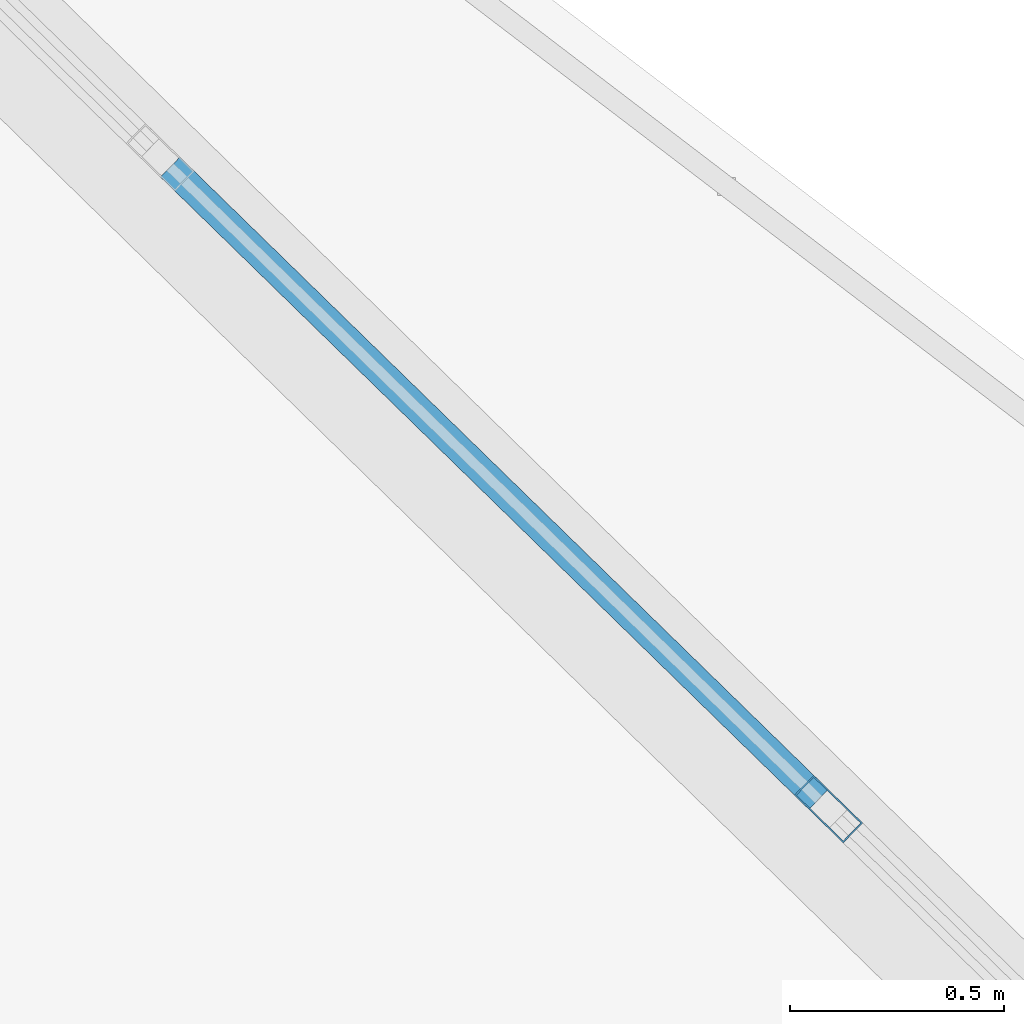
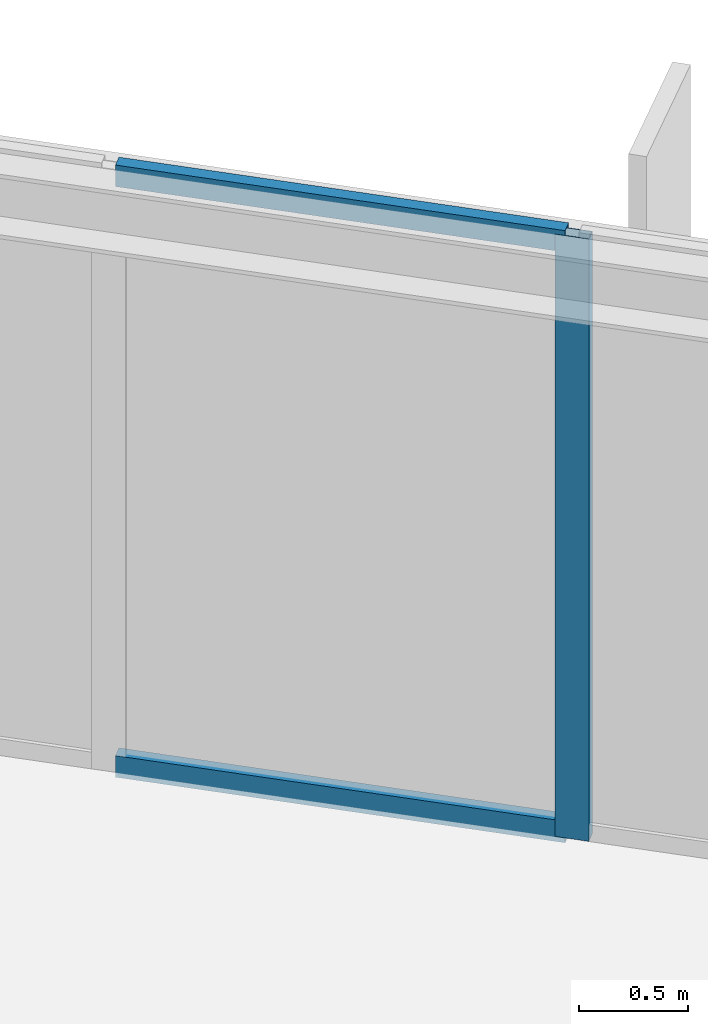
# One storey, part 15 of 27: 3 members, 1 element without a shape of its own.
"""IFC4 building model written with IfcOpenShell, lengths in metres."""

import ifcopenshell
import ifcopenshell.guid

model = None  # the IFC model being written
_history = None  # IfcOwnerHistory: only IFC2X3 demands one
_inside = {}  # id of a spatial element -> (the spatial element, [elements in it])
_under = {}  # id of a project, library or spatial element -> (it, [spatial elements below it])
_declared = {}  # id of a project -> (the project, [libraries it declares])
_typed = {}  # id of a type object -> (the type object, [elements of that type])
_made_of = {}  # id of a material, layer set ... -> (it, [elements and type objects made of it])


def new_model(schema):
    """Start an empty IFC model of exactly this schema.

    Asked for "IFC4X3", IfcOpenShell would pick the latest addendum, in which some entities
    have other attributes; the version numbers below select the first issue.
    IFC2X3 requires an IfcOwnerHistory on every rooted entity: one is made here for all.
    """
    global model, _history
    if schema == "IFC4X3":
        model = ifcopenshell.file(schema_version=(4, 3, 0, 0))
    else:
        model = ifcopenshell.file(schema=schema)
    _inside.clear()
    _under.clear()
    _declared.clear()
    _typed.clear()
    _made_of.clear()
    _history = None
    if model.schema == "IFC2X3":
        org = make("IfcOrganization", Name="unknown")
        user = make(
            "IfcPersonAndOrganization",
            ThePerson=make("IfcPerson", FamilyName="unknown"),
            TheOrganization=org,
        )
        app = make(
            "IfcApplication",
            ApplicationDeveloper=org,
            Version="unknown",
            ApplicationFullName="unknown",
            ApplicationIdentifier="unknown",
        )
        _history = make(
            "IfcOwnerHistory",
            OwningUser=user,
            OwningApplication=app,
            ChangeAction="ADDED",
            CreationDate=0,
        )
    return model


def make(cls, **values):
    """One entity of the class cls with the attributes given. An attribute that is None is left unset."""
    return model.create_entity(
        cls, **{name: value for name, value in values.items() if value is not None}
    )


def rooted(cls, **values):
    """An entity with a GlobalId (a new one), such as an element, a storey or a relation."""
    return make(cls, GlobalId=ifcopenshell.guid.new(), OwnerHistory=_history, **values)


def si_unit(unit_type, name, prefix=None):
    """IfcSIUnit, for example si_unit("LENGTHUNIT", "METRE", prefix="MILLI")."""
    return make("IfcSIUnit", UnitType=unit_type, Prefix=prefix, Name=name)


def assignment(units):
    """IfcUnitAssignment: the units of a project."""
    return None if units is None else make("IfcUnitAssignment", Units=units)


def point(xyz):
    """IfcCartesianPoint."""
    return None if xyz is None else make("IfcCartesianPoint", Coordinates=xyz)


def direction(xyz):
    """IfcDirection."""
    return None if xyz is None else make("IfcDirection", DirectionRatios=xyz)


def frame(location, z_axis=None, x_axis=None):
    """IfcAxis2Placement3D, a coordinate frame: its origin and axes. An axis left out is left unset."""
    return make(
        "IfcAxis2Placement3D",
        Location=point(location),
        Axis=direction(z_axis),
        RefDirection=direction(x_axis),
    )


def frame_2d(location, x_axis=None):
    """IfcAxis2Placement2D, a coordinate frame in the plane: its origin and x axis."""
    return make(
        "IfcAxis2Placement2D", Location=point(location), RefDirection=direction(x_axis)
    )


def origin():
    """The frame at (0, 0, 0) with its axes left unset."""
    return frame((0.0, 0.0, 0.0))


def origin_2d():
    """The frame at (0, 0) in the plane with its x axis left unset."""
    return frame_2d((0.0, 0.0))


def place(relative_to, where):
    """IfcLocalPlacement: puts the frame where relative to a parent placement (None: the world)."""
    return make(
        "IfcLocalPlacement", PlacementRelTo=relative_to, RelativePlacement=where
    )


def context(
    kind, dimensions, precision=None, world=None, true_north=None, identifier=None
):
    """IfcGeometricRepresentationContext, for example the 3D "Model" context."""
    return make(
        "IfcGeometricRepresentationContext",
        ContextIdentifier=identifier,
        ContextType=kind,
        CoordinateSpaceDimension=dimensions,
        Precision=precision,
        WorldCoordinateSystem=world,
        TrueNorth=true_north,
    )


def subcontext(parent, identifier, kind, view, scale=None):
    """IfcGeometricRepresentationSubContext, for example "Body" below "Model"."""
    return make(
        "IfcGeometricRepresentationSubContext",
        ContextIdentifier=identifier,
        ContextType=kind,
        ParentContext=parent,
        TargetScale=scale,
        TargetView=view,
    )


def project(units=None, contexts=None):
    """IfcProject with its units and contexts."""
    return rooted(
        "IfcProject",
        Name="project",
        RepresentationContexts=contexts,
        UnitsInContext=assignment(units),
    )


def spatial(cls, under=None, at=None, **own):
    """A site, building, storey or space (cls), placed at a placement, below another one or the project."""
    s = rooted(cls, ObjectPlacement=at, **own)
    if under is not None:
        _under.setdefault(under.id(), (under, []))[1].append(s)
    return s


def profile(cls, at=None, kind="AREA", **sizes):
    """A parametric profile (cls). Its sizes go by their IFC names, for example OverallWidth=200.0."""
    return make(cls, ProfileType=kind, Position=at, **sizes)


def hollow_rectangle(**sizes):
    """IfcRectangleHollowProfileDef."""
    return profile("IfcRectangleHollowProfileDef", **sizes)


def extrude(swept, where, along, depth):
    """IfcExtrudedAreaSolid: the profile swept, set in the frame where, extruded along a direction by depth."""
    return make(
        "IfcExtrudedAreaSolid",
        SweptArea=swept,
        Position=where,
        ExtrudedDirection=direction(along),
        Depth=depth,
    )


def shape(context_of_items, identifier, shape_type, items):
    """IfcShapeRepresentation: the items that make up one representation, for example the "Body"."""
    return make(
        "IfcShapeRepresentation",
        ContextOfItems=context_of_items,
        RepresentationIdentifier=identifier,
        RepresentationType=shape_type,
        Items=items,
    )


def material(Name=None, Category=None):
    """IfcMaterial."""
    return make("IfcMaterial", Name=Name, Category=Category)


def layer(
    of_material, thickness, ventilated=None, Name=None, Category=None, Priority=None
):
    """IfcMaterialLayer: one layer of a wall or slab, of a material (None: an air gap)."""
    return make(
        "IfcMaterialLayer",
        Material=of_material,
        LayerThickness=thickness,
        IsVentilated=ventilated,
        Name=Name,
        Category=Category,
        Priority=Priority,
    )


def layer_set(layers, Name=None):
    """IfcMaterialLayerSet."""
    return make("IfcMaterialLayerSet", MaterialLayers=layers, LayerSetName=Name)


def material_profile(
    of_material, cross_section, Name=None, Category=None, Priority=None
):
    """IfcMaterialProfile: a cross section and its material."""
    return make(
        "IfcMaterialProfile",
        Name=Name,
        Material=of_material,
        Profile=cross_section,
        Priority=Priority,
        Category=Category,
    )


def profile_set(profiles, Name=None, composite=None):
    """IfcMaterialProfileSet."""
    return make(
        "IfcMaterialProfileSet",
        Name=Name,
        MaterialProfiles=profiles,
        CompositeProfile=composite,
    )


def made_of(thing, what):
    """Note that an element or type object is made of a material, layer set ...; save() writes the relation."""
    if what is not None:
        _made_of.setdefault(what.id(), (what, []))[1].append(thing)
    return thing


def type_object(cls, material=None, **own):
    """A type object (cls), such as IfcWallType, which elements share."""
    return made_of(rooted(cls, **own), material)


def element(
    cls,
    number,
    at=None,
    inside=None,
    cuts=None,
    type_object=None,
    material=None,
    context=None,
    identifier="Body",
    shape_type=None,
    held_by="IfcProductDefinitionShape",
    body=None,
    shapes=None,
    **own,
):
    """One element of the class cls, such as IfcWall. Its Tag is "e" and its number.

    at: its placement. inside: the storey or other place that contains it. cuts: it is an
    opening in that element (IfcRelVoidsElement). A single representation is given by context,
    identifier, shape_type and body (its items); several are given by shapes. held_by: the class
    of the entity that holds the representations. save() writes the other relations.
    """
    e = rooted(cls, Tag="e%d" % number, ObjectPlacement=at, **own)
    if body is not None:
        shapes = [shape(context, identifier, shape_type, body)]
    if shapes is not None:
        e.Representation = make(held_by, Representations=shapes)
    if inside is not None:
        _inside.setdefault(inside.id(), (inside, []))[1].append(e)
    if cuts is not None:
        rooted(
            "IfcRelVoidsElement", RelatingBuildingElement=cuts, RelatedOpeningElement=e
        )
    if type_object is not None:
        _typed.setdefault(type_object.id(), (type_object, []))[1].append(e)
    return made_of(e, material)


def aggregate(whole, parts):
    """IfcRelAggregates: a whole, such as a stair, and the parts it consists of."""
    return rooted("IfcRelAggregates", RelatingObject=whole, RelatedObjects=parts)


def save(model, path):
    """Write the relations noted so far, then the file.

    IfcRelAggregates (storeys below a building ...), IfcRelContainedInSpatialStructure (elements
    in a storey), IfcRelDefinesByType, IfcRelAssociatesMaterial and IfcRelDeclares: one each for
    every whole, place, type object, material and project.
    """
    for whole, parts in _under.values():
        aggregate(whole, parts)
    for where, things in _inside.values():
        rooted(
            "IfcRelContainedInSpatialStructure",
            RelatedElements=things,
            RelatingStructure=where,
        )
    for kind, things in _typed.values():
        rooted("IfcRelDefinesByType", RelatedObjects=things, RelatingType=kind)
    for what, things in _made_of.values():
        rooted("IfcRelAssociatesMaterial", RelatedObjects=things, RelatingMaterial=what)
    for by, libraries in _declared.values():
        rooted("IfcRelDeclares", RelatingContext=by, RelatedDefinitions=libraries)
    model.write(path)


model = new_model("IFC4")

# Units and contexts
model_context = context("Model", 3, precision=1e-05, world=origin(), true_north=direction((0.0, 1.0)))
body_context = subcontext(model_context, "Body", "Model", "MODEL_VIEW")
ifc_project = project(units=[si_unit("LENGTHUNIT", "METRE"), si_unit("AREAUNIT", "SQUARE_METRE"), si_unit("VOLUMEUNIT", "CUBIC_METRE"), si_unit("PLANEANGLEUNIT", "RADIAN"), si_unit("MASSUNIT", "GRAM", prefix="KILO")], contexts=[model_context])

# Site, building, storey
site_placement = place(None, origin())
site = spatial("IfcSite", under=ifc_project, at=site_placement, CompositionType="ELEMENT")
building_placement = place(site_placement, origin())
building = spatial("IfcBuilding", under=site, at=building_placement, Name="Varnakorn Sky Granary", CompositionType="ELEMENT")
storey_placement = place(building_placement, frame((0.0, 0.0, 245.39990234375)))
storey = spatial("IfcBuildingStorey", under=building, at=storey_placement, Name="L62", CompositionType="ELEMENT", Elevation=245.39990234375)

# Curtain wall, members
ifc_material = material(Name="Anodised Bronze Aluminium Alloy 6063-T6", Category="aluminium")
ifc_layer = layer(ifc_material, 0.159912109375, Name="Anodised Bronze Aluminium Alloy 6063-T6")
ifc_layer_set = layer_set([ifc_layer], Name="Anodised Bronze Aluminium Alloy 6063-T6")
curtain_wall_type = type_object("IfcCurtainWallType", Name="CW-OFF-1", PredefinedType="USERDEFINED", material=ifc_layer_set)
curtain_wall_placement = place(storey_placement, origin())
curtain_wall = element("IfcCurtainWall", 1, at=curtain_wall_placement, inside=storey, type_object=curtain_wall_type, Name="Unitised Curtain Wall CW6 CW-L62-B02", ObjectType="CURTAIN WALL", PredefinedType="USERDEFINED")
ifc_material_profile_1 = material_profile(ifc_material, hollow_rectangle(XDim=0.06494140625, YDim=0.159912109375, WallThickness=0.00341796875, at=origin_2d()), Name="ALU MULL 65x160")
ifc_profile_set_1 = profile_set([ifc_material_profile_1], Name="Anodised Bronze Aluminium Alloy 6063-T6")
member_type_1 = type_object("IfcMemberType", Name="CW-OFF-1-MULL", PredefinedType="MULLION", material=ifc_profile_set_1)
member_1_placement = place(storey_placement, frame((17.4365234375, 12.2744140625, 0.0), z_axis=(0.0, 0.0, 1.0), x_axis=(0.698180615076, 0.715921663823, 0.0)))
member_1 = element("IfcMember", 2, at=member_1_placement, type_object=member_type_1, Name="CW6 mullion 3", PredefinedType="MULLION", context=body_context, shape_type="SweptSolid", body=[
    extrude(hollow_rectangle(XDim=0.06494140625, YDim=0.159912109375, WallThickness=0.00341796875, at=origin_2d()), origin(), (0.0, 0.0, 1.0), 3.360107421875),
])
ifc_material_profile_2 = material_profile(ifc_material, hollow_rectangle(XDim=0.06494140625, YDim=0.1201171875, WallThickness=0.00341796875, at=origin_2d()), Name="ALU TRAN 65x120")
ifc_profile_set_2 = profile_set([ifc_material_profile_2], Name="Anodised Bronze Aluminium Alloy 6063-T6")
member_type_2 = type_object("IfcMemberType", Name="CW-OFF-1-TRAN", PredefinedType="USERDEFINED", material=ifc_profile_set_2)
member_2_placement = place(storey_placement, frame((15.89501953125, 13.777587890625, 0.03271484375), z_axis=(0.715972805246, -0.698128170287, 0.0), x_axis=(0.698128170287, 0.715972805246, 0.0)))
member_2 = element("IfcMember", 3, at=member_2_placement, type_object=member_type_2, Name="CW6 transom 2.1", ObjectType="TRANSOM", PredefinedType="USERDEFINED", context=body_context, shape_type="SweptSolid", body=[
    extrude(hollow_rectangle(XDim=0.06494140625, YDim=0.1201171875, WallThickness=0.00341796875, at=origin_2d()), origin(), (0.0, 0.0, 1.0), 2.12060546875),
])
member_3_placement = place(storey_placement, frame((15.89501953125, 13.777587890625, 3.32763671875), z_axis=(0.715972805246, -0.698128170287, 0.0), x_axis=(0.698128170287, 0.715972805246, 0.0)))
member_3 = element("IfcMember", 4, at=member_3_placement, type_object=member_type_2, Name="CW6 transom 2.2", ObjectType="TRANSOM", PredefinedType="USERDEFINED", context=body_context, shape_type="SweptSolid", body=[
    extrude(hollow_rectangle(XDim=0.06494140625, YDim=0.1201171875, WallThickness=0.00341796875, at=origin_2d()), origin(), (0.0, 0.0, 1.0), 2.12060546875),
])
aggregate(curtain_wall, [member_1, member_2, member_3])

save(model, "model.ifc")
